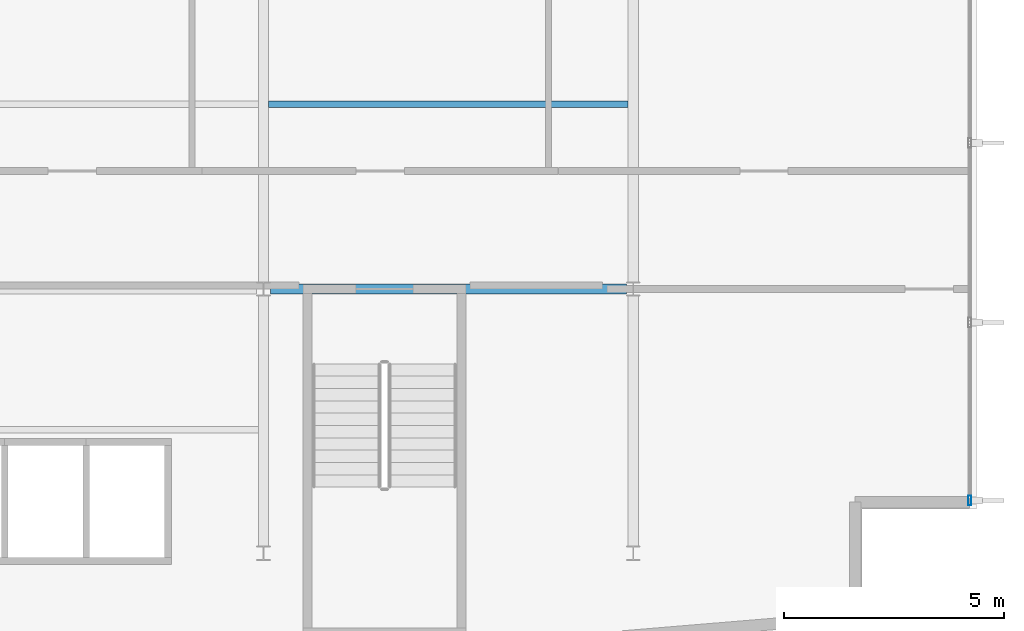
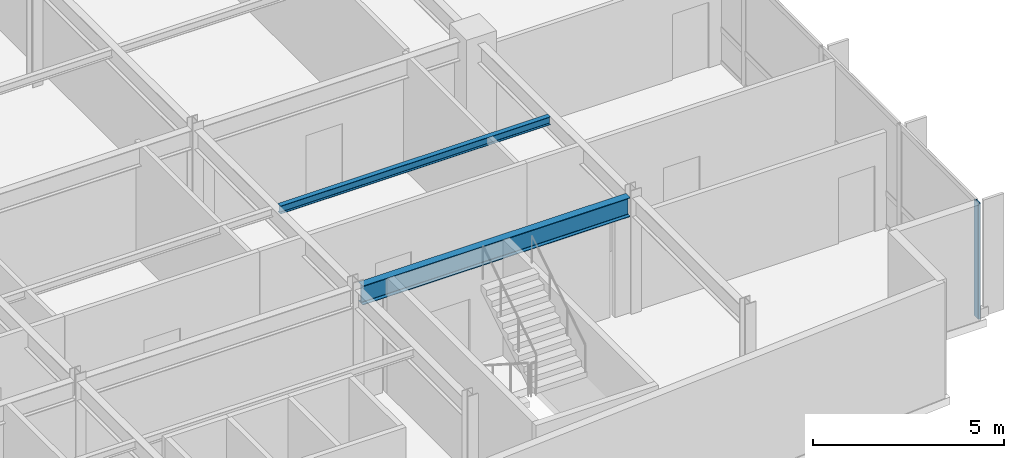
# One storey, part 5 of 21: 2 beams, 1 member, 1 element without a shape of its own.
"""IFC4 building model written with IfcOpenShell, lengths in metres."""

from ifc_helpers import new_model, si_unit, direction, frame, origin, origin_2d, place, context, subcontext, project, spatial, hollow_rectangle, i_section, extrude, material, layer, layer_set, material_profile, profile_set, type_object, element, aggregate, save


model = new_model("IFC4")

# Units and contexts
model_context = context("Model", 3, precision=1e-05, world=origin(), true_north=direction((0.0, 1.0)))
body_context = subcontext(model_context, "Body", "Model", "MODEL_VIEW")
ifc_project = project(units=[si_unit("LENGTHUNIT", "METRE"), si_unit("AREAUNIT", "SQUARE_METRE"), si_unit("VOLUMEUNIT", "CUBIC_METRE"), si_unit("PLANEANGLEUNIT", "RADIAN"), si_unit("MASSUNIT", "GRAM", prefix="KILO")], contexts=[model_context])

# Site, building, storey
site_placement = place(None, origin())
site = spatial("IfcSite", under=ifc_project, at=site_placement, CompositionType="ELEMENT")
building_placement = place(site_placement, origin())
building = spatial("IfcBuilding", under=site, at=building_placement, Name="Varnakote Quay Hospital", CompositionType="ELEMENT")
storey_placement = place(building_placement, frame((0.0, 0.0, 77.800048828125)))
storey = spatial("IfcBuildingStorey", under=building, at=storey_placement, Name="L19", CompositionType="ELEMENT", Elevation=77.800048828125)

# Beam
ifc_material_1 = material(Name="Structural steel AS/NZS 3679.1 Grade 350 L0 (fy 340 MPa)", Category="steel")
ifc_material_profile_1 = material_profile(ifc_material_1, i_section(OverallWidth=0.22900390625, OverallDepth=0.612060546875, WebThickness=0.011962890625, FlangeThickness=0.01953125, FilletRadius=0.013916015625, at=origin_2d()), Name="610UB125")
ifc_profile_set_1 = profile_set([ifc_material_profile_1], Name="Structural steel AS/NZS 3679.1 Grade 350 L0 (fy 340 MPa)")
beam_type_1 = type_object("IfcBeamType", Name="BM-STL-610UB125", PredefinedType="BEAM", material=ifc_profile_set_1)
beam_1_placement = place(storey_placement, frame((42.155517578125, 12.0, 3.404052734375), z_axis=(1.0, 0.0, 0.0), x_axis=(0.0, 1.0, 0.0)))
element("IfcBeam", 1, at=beam_1_placement, inside=storey, type_object=beam_type_1, Name="L19 Primary Floor Beam", PredefinedType="BEAM", context=body_context, shape_type="SweptSolid", body=[
    extrude(i_section(OverallWidth=0.22900390625, OverallDepth=0.612060546875, WebThickness=0.011962890625, FlangeThickness=0.01953125, FilletRadius=0.013916015625, at=origin_2d()), origin(), (0.0, 0.0, 1.0), 8.0888671875),
])

# Curtain wall, member
ifc_material_2 = material(Name="Anodised aluminium 6063-T6 Bronze", Category="aluminium")
ifc_layer = layer(ifc_material_2, 0.18994140625)
ifc_layer_set = layer_set([ifc_layer], Name="Anodised aluminium 6063-T6 Bronze")
curtain_wall_type = type_object("IfcCurtainWallType", Name="CW-SYS-2", PredefinedType="NOTDEFINED", material=ifc_layer_set)
curtain_wall_placement = place(storey_placement, origin())
curtain_wall = element("IfcCurtainWall", 2, at=curtain_wall_placement, inside=storey, type_object=curtain_wall_type, Name="L19 Unitised Bronze Curtain Wall 1", PredefinedType="NOTDEFINED")
ifc_material_3 = material(Name="Anodised aluminium 6063-T6 Bronze", Category="aluminium")
ifc_material_profile_2 = material_profile(ifc_material_3, hollow_rectangle(XDim=0.074951171875, YDim=0.219970703125, WallThickness=0.00439453125, InnerFilletRadius=0.00439453125, OuterFilletRadius=0.009033203125, at=origin_2d()), Name="CW-MULL-220x75")
ifc_profile_set_2 = profile_set([ifc_material_profile_2], Name="Anodised aluminium 6063-T6 Bronze")
member_type = type_object("IfcMemberType", Name="CW-MULL-220x75", PredefinedType="MULLION", material=ifc_profile_set_2)
member_placement = place(storey_placement, frame((58.0400390625, 7.197509765625, 0.0), z_axis=(0.0, 0.0, 1.0), x_axis=(-1.0, 0.0, 0.0)))
member = element("IfcMember", 3, at=member_placement, type_object=member_type, Name="-2-L19-1 mullion 1", PredefinedType="MULLION", context=body_context, shape_type="SweptSolid", body=[
    extrude(hollow_rectangle(XDim=0.074951171875, YDim=0.219970703125, WallThickness=0.00439453125, InnerFilletRadius=0.00439453125, OuterFilletRadius=0.009033203125, at=origin_2d()), origin(), (0.0, 0.0, 1.0), 3.7099609375),
])
aggregate(curtain_wall, [member])

# Beam
ifc_material_4 = material(Name="Structural steel AS/NZS 3679.1 Grade 350 L0 (fy 340 MPa)", Category="steel")
ifc_material_profile_3 = material_profile(ifc_material_4, i_section(OverallWidth=0.14599609375, OverallDepth=0.256103515625, WebThickness=0.00634765625, FlangeThickness=0.010986328125, FilletRadius=0.0087890625, at=origin_2d()), Name="250UB37.3")
ifc_profile_set_3 = profile_set([ifc_material_profile_3], Name="Structural steel AS/NZS 3679.1 Grade 350 L0 (fy 340 MPa)")
beam_type_2 = type_object("IfcBeamType", Name="JST-STL-250UB37-3", PredefinedType="JOIST", material=ifc_profile_set_3)
beam_2_placement = place(storey_placement, frame((42.114501953125, 16.199951171875, 3.58203125), z_axis=(1.0, 0.0, 0.0), x_axis=(0.0, 1.0, 0.0)))
element("IfcBeam", 4, at=beam_2_placement, inside=storey, type_object=beam_type_2, Name="L19 Composite Floor Joist", PredefinedType="JOIST", context=body_context, shape_type="SweptSolid", body=[
    extrude(i_section(OverallWidth=0.14599609375, OverallDepth=0.256103515625, WebThickness=0.00634765625, FlangeThickness=0.010986328125, FilletRadius=0.0087890625, at=origin_2d()), origin(), (0.0, 0.0, 1.0), 8.1708984375),
])

save(model, "model.ifc")
